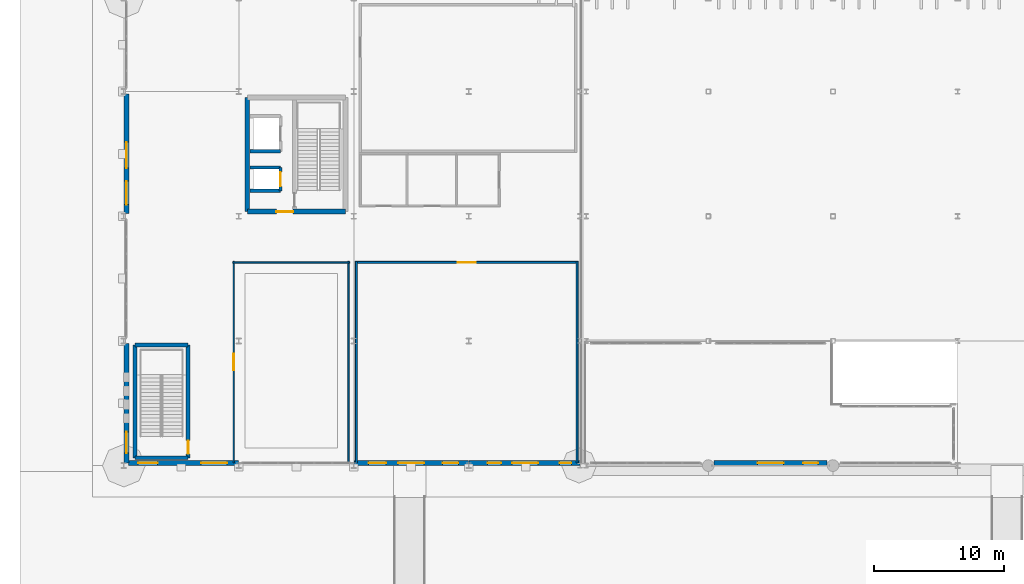
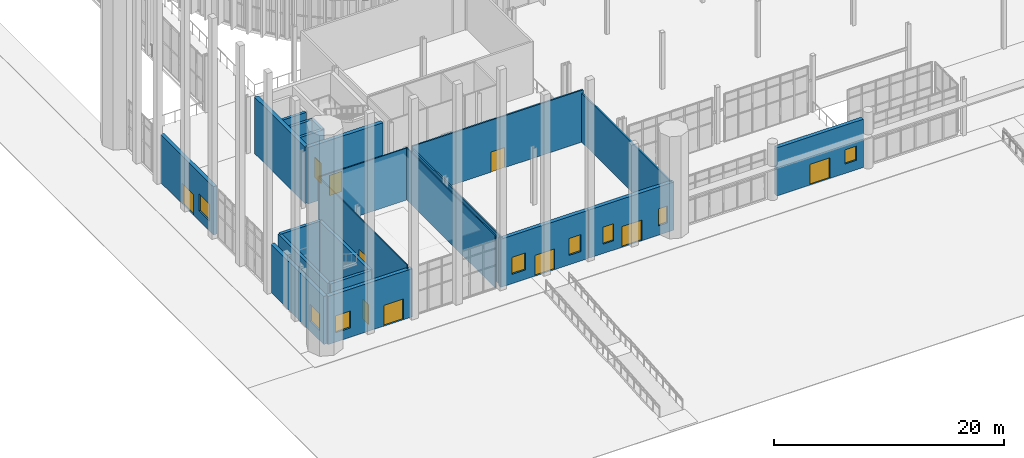
# One storey, part 101 of 139: 22 walls, 10 doors, 8 windows, 18 openings.
"""IFC4 building model written with IfcOpenShell, lengths in metres."""

from ifc_helpers import new_model, si_unit, direction, frame, frame_2d, origin, place, context, subcontext, project, spatial, rectangle, extrude, material, layer, layer_set, type_object, element, fill, save


model = new_model("IFC4")

# Units and contexts
model_context = context("Model", 3, precision=1e-05, world=origin(), true_north=direction((0.0, 1.0)))
body_context = subcontext(model_context, "Body", "Model", "MODEL_VIEW")
ifc_project = project(units=[si_unit("LENGTHUNIT", "METRE"), si_unit("AREAUNIT", "SQUARE_METRE"), si_unit("VOLUMEUNIT", "CUBIC_METRE"), si_unit("PLANEANGLEUNIT", "RADIAN"), si_unit("MASSUNIT", "GRAM", prefix="KILO")], contexts=[model_context])

# Site, building, storey
site_placement = place(None, origin())
site = spatial("IfcSite", under=ifc_project, at=site_placement, CompositionType="ELEMENT")
building_placement = place(site_placement, origin())
building = spatial("IfcBuilding", under=site, at=building_placement, Name="Yeouljin Market Hall", CompositionType="ELEMENT")
storey_placement = place(building_placement, origin())
storey = spatial("IfcBuildingStorey", under=building, at=storey_placement, Name="L00", CompositionType="ELEMENT", Elevation=0.0)

# Wall, opening, door
ifc_material_1 = material(Name="Gypsum Board Acoustic Partition")
ifc_layer_1 = layer(ifc_material_1, 0.14990234375)
ifc_layer_set_1 = layer_set([ifc_layer_1], Name="Gypsum Board Acoustic Partition")
wall_type_1 = type_object("IfcWallType", Name="Part_Classroom_150", PredefinedType="PARTITIONING", material=ifc_layer_set_1)
wall_1_placement = place(storey_placement, frame((34.97998046875, 15.64990234375, 0.0), z_axis=(0.0, 0.0, 1.0), x_axis=(-1.0, 0.0, 0.0)))
wall_1 = element("IfcWall", 1, at=wall_1_placement, inside=storey, type_object=wall_type_1, Name="Interior partition PART-L00-0053", PredefinedType="PARTITIONING", context=body_context, shape_type="SweptSolid", body=[
    extrude(rectangle(XDim=17.159912109375, YDim=0.14990234375, at=frame_2d((8.580078125, 0.0))), origin(), (0.0, 0.0, 1.0), 5.52001953125),
])
opening_1_placement = place(wall_1_placement, frame((7.89990234375, 0.0, 0.0)))
opening_1 = element("IfcOpeningElement", 2, at=opening_1_placement, cuts=wall_1, Name="Opening D-L00-017", PredefinedType="OPENING", context=body_context, shape_type="SweptSolid", body=[
    extrude(rectangle(XDim=1.360107421875, YDim=2.14990234375, at=frame_2d((0.68017578125, 1.074951171875))), frame((0.0, 0.0849609375, 0.0), z_axis=(0.0, -1.0, 0.0), x_axis=(1.0, 0.0, 0.0)), (0.0, 0.0, 1.0), 0.169921875),
])
ifc_material_2 = material(Name="Painted Fire-Rated Steel", Category="steel")
door_type_1 = type_object("IfcDoorType", Name="DT-FD136", OperationType="NOTDEFINED", PredefinedType="DOOR", material=ifc_material_2)
door_1_placement = place(opening_1_placement, origin())
door_1 = element("IfcDoor", 3, at=door_1_placement, inside=storey, type_object=door_type_1, Name="Interior door D-L00-017 (Noodle Craft Workshop)", OperationType="SINGLE_SWING_LEFT", OverallHeight=2.14990234375, OverallWidth=1.360107421875, PredefinedType="DOOR", context=body_context, shape_type="SweptSolid", body=[
    extrude(rectangle(XDim=1.360107421875, YDim=2.14990234375, at=frame_2d((0.68017578125, 1.074951171875))), frame((0.0, 0.02490234375, 0.0), z_axis=(0.0, -1.0, 0.0), x_axis=(1.0, 0.0, 0.0)), (0.0, 0.0, 1.0), 0.050048828125),
])
fill(opening_1, door_1)

# Walls
wall_2_placement = place(storey_placement, frame((34.89990234375, 0.199951171875, 0.0), z_axis=(0.0, 0.0, 1.0), x_axis=(0.0, 1.0, 0.0)))
element("IfcWall", 4, at=wall_2_placement, inside=storey, type_object=wall_type_1, Name="Interior partition PART-L00-0054", PredefinedType="PARTITIONING", context=body_context, shape_type="SweptSolid", body=[
    extrude(rectangle(XDim=15.530029296875, YDim=0.14990234375, at=frame_2d((7.76513671875, 0.0))), origin(), (0.0, 0.0, 1.0), 5.199951171875),
])
wall_3_placement = place(storey_placement, frame((17.89990234375, 15.72998046875, 0.0), z_axis=(0.0, 0.0, 1.0), x_axis=(0.0, -1.0, 0.0)))
element("IfcWall", 5, at=wall_3_placement, inside=storey, type_object=wall_type_1, Name="Interior partition PART-L00-0055", PredefinedType="PARTITIONING", context=body_context, shape_type="SweptSolid", body=[
    extrude(rectangle(XDim=15.530029296875, YDim=0.14990234375, at=frame_2d((7.76513671875, 0.0))), origin(), (0.0, 0.0, 1.0), 5.215087890625),
])

# Wall, opening, door
ifc_material_3 = material(Name="Gypsum Board Partition")
ifc_layer_2 = layer(ifc_material_3, 0.110107421875)
ifc_layer_set_2 = layer_set([ifc_layer_2], Name="Gypsum Board Partition")
wall_type_2 = type_object("IfcWallType", Name="Part_Office_110", PredefinedType="PARTITIONING", material=ifc_layer_set_2)
wall_4_placement = place(storey_placement, frame((8.4599609375, 15.72998046875, 0.0), z_axis=(0.0, 0.0, 1.0), x_axis=(0.0, -1.0, 0.0)))
wall_4 = element("IfcWall", 6, at=wall_4_placement, inside=storey, type_object=wall_type_2, Name="Interior partition PART-L00-0050", PredefinedType="PARTITIONING", context=body_context, shape_type="SweptSolid", body=[
    extrude(rectangle(XDim=15.530029296875, YDim=0.110107421875, at=frame_2d((7.76513671875, 0.0))), origin(), (0.0, 0.0, 1.0), 5.52001953125),
])
opening_2_placement = place(wall_4_placement, frame((7.125, 0.0, 0.0)))
opening_2 = element("IfcOpeningElement", 7, at=opening_2_placement, cuts=wall_4, Name="Opening D-L00-016", PredefinedType="OPENING", context=body_context, shape_type="SweptSolid", body=[
    extrude(rectangle(XDim=1.280029296875, YDim=2.14990234375, at=frame_2d((0.64013671875, 1.074951171875))), frame((0.0, 0.06494140625, 0.0), z_axis=(0.0, -1.0, 0.0), x_axis=(1.0, 0.0, 0.0)), (0.0, 0.0, 1.0), 0.130126953125),
])
ifc_material_4 = material(Name="Painted Fire-Rated Steel", Category="steel")
door_type_2 = type_object("IfcDoorType", Name="DT-FD128", OperationType="NOTDEFINED", PredefinedType="DOOR", material=ifc_material_4)
door_2_placement = place(opening_2_placement, origin())
door_2 = element("IfcDoor", 8, at=door_2_placement, inside=storey, type_object=door_type_2, Name="Interior door D-L00-016 (Artisan Tofu Workshop)", OperationType="SINGLE_SWING_RIGHT", OverallHeight=2.14990234375, OverallWidth=1.280029296875, PredefinedType="DOOR", context=body_context, shape_type="SweptSolid", body=[
    extrude(rectangle(XDim=1.280029296875, YDim=2.14990234375, at=frame_2d((0.64013671875, 1.074951171875))), frame((0.0, 0.02490234375, 0.0), z_axis=(0.0, -1.0, 0.0), x_axis=(1.0, 0.0, 0.0)), (0.0, 0.0, 1.0), 0.050048828125),
])
fill(opening_2, door_2)

# Walls
wall_5_placement = place(storey_placement, frame((17.3798828125, 15.64990234375, 0.0), z_axis=(0.0, 0.0, 1.0), x_axis=(-1.0, 0.0, 0.0)))
element("IfcWall", 9, at=wall_5_placement, inside=storey, type_object=wall_type_2, Name="Interior partition PART-L00-0051", PredefinedType="PARTITIONING", context=body_context, shape_type="SweptSolid", body=[
    extrude(rectangle(XDim=9.0, YDim=0.110107421875, at=frame_2d((4.5, 0.0))), origin(), (0.0, 0.0, 1.0), 5.52001953125),
])
wall_6_placement = place(storey_placement, frame((17.300048828125, 0.199951171875, 0.0), z_axis=(0.0, 0.0, 1.0), x_axis=(0.0, 1.0, 0.0)))
element("IfcWall", 10, at=wall_6_placement, inside=storey, type_object=wall_type_2, Name="Interior partition PART-L00-0052", PredefinedType="PARTITIONING", context=body_context, shape_type="SweptSolid", body=[
    extrude(rectangle(XDim=15.530029296875, YDim=0.110107421875, at=frame_2d((7.76513671875, 0.0))), origin(), (0.0, 0.0, 1.0), 5.52001953125),
])

# Wall, opening, door
ifc_material_5 = material(Name="Concrete C35/45", Category="concrete")
ifc_layer_3 = layer(ifc_material_5, 0.260009765625)
ifc_layer_set_3 = layer_set([ifc_layer_3], Name="Concrete C35/45")
wall_type_3 = type_object("IfcWallType", Name="Wall_Compartment_260", PredefinedType="SHEAR", material=ifc_layer_set_3)
wall_7_placement = place(storey_placement, frame((12.054931640625, 21.14990234375, 0.0), z_axis=(0.0, 0.0, 1.0), x_axis=(0.0, 1.0, 0.0)))
wall_7 = element("IfcWall", 11, at=wall_7_placement, inside=storey, type_object=wall_type_3, Name="Lift LP-01 hoistway front wall (L00)", PredefinedType="SHEAR", context=body_context, shape_type="SweptSolid", body=[
    extrude(rectangle(XDim=1.800048828125, YDim=0.260009765625, at=frame_2d((0.89990234375, 0.0))), origin(), (0.0, 0.0, 1.0), 6.0),
])
opening_3_placement = place(wall_7_placement, frame((0.35009765625, 0.0, 0.0)))
opening_3 = element("IfcOpeningElement", 12, at=opening_3_placement, cuts=wall_7, Name="Opening LD-LP-01-L00", PredefinedType="OPENING", context=body_context, shape_type="SweptSolid", body=[
    extrude(rectangle(XDim=1.10009765625, YDim=2.14990234375, at=frame_2d((0.550048828125, 1.074951171875))), frame((0.0, 0.139892578125, 0.0), z_axis=(0.0, -1.0, 0.0), x_axis=(1.0, 0.0, 0.0)), (0.0, 0.0, 1.0), 0.280029296875),
])
ifc_material_6 = material(Name="Brushed Stainless Steel", Category="steel")
door_type_3 = type_object("IfcDoorType", Name="LD-110", OperationType="SLIDING_TO_LEFT", PredefinedType="DOOR", material=ifc_material_6)
door_3_placement = place(opening_3_placement, origin())
door_3 = element("IfcDoor", 13, at=door_3_placement, inside=storey, type_object=door_type_3, Name="Lift landing sliding door LD-LP-01-L00", OperationType="SLIDING_TO_LEFT", OverallHeight=2.14990234375, OverallWidth=1.10009765625, PredefinedType="DOOR", context=body_context, shape_type="SweptSolid", body=[
    extrude(rectangle(XDim=1.10009765625, YDim=2.14990234375, at=frame_2d((0.550048828125, 1.074951171875))), frame((0.0, 0.02490234375, 0.0), z_axis=(0.0, -1.0, 0.0), x_axis=(1.0, 0.0, 0.0)), (0.0, 0.0, 1.0), 0.050048828125),
])
fill(opening_3, door_3)

# Walls
for number, where, z_axis, x_axis, name in (
    (14, (9.699951171875, 21.14990234375, 0.0), (0.0, 0.0, 1.0), (1.0, 0.0, 0.0), "Lift LP-01 shaft cheek wall S (L00)"),
    (15, (9.699951171875, 22.949951171875, 0.0), (0.0, 0.0, 1.0), (1.0, 0.0, 0.0), "Lift LP-01 shaft cheek wall N (L00)"),
    (16, (9.699951171875, 24.199951171875, 0.0), (0.0, 0.0, 1.0), (1.0, 0.0, 0.0), "Lift LS-01 shaft cheek wall S (L00)"),
):
    element("IfcWall", number, at=place(storey_placement, frame(where, z_axis=z_axis, x_axis=x_axis)), inside=storey, type_object=wall_type_3, Name=name, PredefinedType="SHEAR", context=body_context, shape_type="SweptSolid", body=[
        extrude(rectangle(XDim=2.35498046875, YDim=0.260009765625, at=frame_2d((1.177490234375, 0.0))), origin(), (0.0, 0.0, 1.0), 6.0),
    ])

# Wall, opening, door
ifc_material_7 = material(Name="Concrete C35/45", Category="concrete")
ifc_layer_4 = layer(ifc_material_7, 0.3798828125)
ifc_layer_set_4 = layer_set([ifc_layer_4], Name="Concrete C35/45")
wall_type_4 = type_object("IfcWallType", Name="Wall_CoreShear_380", PredefinedType="SHEAR", material=ifc_layer_set_4)
wall_8_placement = place(storey_placement, frame((9.5, 19.550048828125, 0.0), z_axis=(0.0, 0.0, 1.0), x_axis=(1.0, 0.0, 0.0)))
wall_8 = element("IfcWall", 17, at=wall_8_placement, inside=storey, type_object=wall_type_4, Name="Core C1 south shear wall (L00)", PredefinedType="SHEAR", context=body_context, shape_type="SweptSolid", body=[
    extrude(rectangle(XDim=7.550048828125, YDim=0.3798828125, at=frame_2d((3.77490234375, 0.0))), origin(), (0.0, 0.0, 1.0), 6.0),
])
opening_4_placement = place(wall_8_placement, frame((2.25, 0.0, 0.0)))
opening_4 = element("IfcOpeningElement", 18, at=opening_4_placement, cuts=wall_8, Name="Opening FD-C1-L00-01", PredefinedType="OPENING", context=body_context, shape_type="SweptSolid", body=[
    extrude(rectangle(XDim=1.280029296875, YDim=2.14990234375, at=frame_2d((0.64013671875, 1.074951171875))), frame((0.0, 0.199951171875, 0.0), z_axis=(0.0, -1.0, 0.0), x_axis=(1.0, 0.0, 0.0)), (0.0, 0.0, 1.0), 0.39990234375),
])
door_4_placement = place(opening_4_placement, origin())
door_4 = element("IfcDoor", 19, at=door_4_placement, inside=storey, type_object=door_type_2, Name="Core C1 lobby fire door (L00)", OperationType="SINGLE_SWING_LEFT", OverallHeight=2.14990234375, OverallWidth=1.280029296875, PredefinedType="DOOR", context=body_context, shape_type="SweptSolid", body=[
    extrude(rectangle(XDim=1.280029296875, YDim=2.14990234375, at=frame_2d((0.64013671875, 1.074951171875))), frame((0.0, 0.02490234375, 0.0), z_axis=(0.0, -1.0, 0.0), x_axis=(1.0, 0.0, 0.0)), (0.0, 0.0, 1.0), 0.050048828125),
])
fill(opening_4, door_4)

# Wall
wall_9_placement = place(storey_placement, frame((9.5, 28.35009765625, 0.0), z_axis=(0.0, 0.0, 1.0), x_axis=(0.0, -1.0, 0.0)))
element("IfcWall", 20, at=wall_9_placement, inside=storey, type_object=wall_type_4, Name="Core C1 west shear wall (L00)", PredefinedType="SHEAR", context=body_context, shape_type="SweptSolid", body=[
    extrude(rectangle(XDim=8.800048828125, YDim=0.3798828125, at=frame_2d((4.39990234375, 0.0))), origin(), (0.0, 0.0, 1.0), 6.0),
])

# Wall, opening, window
ifc_material_8 = material(Name="Clinker Brick Masonry F2-S2", Category="masonry")
ifc_layer_5 = layer(ifc_material_8, 0.35009765625)
ifc_layer_set_5 = layer_set([ifc_layer_5], Name="Clinker Brick Masonry F2-S2")
wall_type_5 = type_object("IfcWallType", Name="Wall_Ext_ClinkerCavity_350", PredefinedType="SOLIDWALL", material=ifc_layer_set_5)
wall_10_placement = place(storey_placement, frame((0.199951171875, 0.2080078125, 0.0), z_axis=(0.0, 0.0, 1.0), x_axis=(0.0, 1.0, 0.0)))
wall_10 = element("IfcWall", 21, at=wall_10_placement, inside=storey, type_object=wall_type_5, Name="Exterior wall WE-V2W-L00-1", PredefinedType="SOLIDWALL", context=body_context, shape_type="SweptSolid", body=[
    extrude(rectangle(XDim=9.18603515625, YDim=0.35009765625, at=frame_2d((4.593017578125, 0.0))), origin(), (0.0, 0.0, 1.0), 5.1201171875),
])
opening_5_placement = place(wall_10_placement, frame((0.741943359375, 0.0, 1.050048828125)))
opening_5 = element("IfcOpeningElement", 22, at=opening_5_placement, cuts=wall_10, Name="Opening WN-06", PredefinedType="OPENING", context=body_context, shape_type="SweptSolid", body=[
    extrude(rectangle(XDim=1.64990234375, YDim=1.800048828125, at=frame_2d((0.824951171875, 0.89990234375))), frame((0.0, 0.18505859375, 0.0), z_axis=(0.0, -1.0, 0.0), x_axis=(1.0, 0.0, 0.0)), (0.0, 0.0, 1.0), 0.3701171875),
])
ifc_material_9 = material(Name="Low-E Insulated Glass", Category="glass")
window_type_1 = type_object("IfcWindowType", Name="Win_Ladder_1650x1800", PartitioningType="DOUBLE_PANEL_HORIZONTAL", PredefinedType="WINDOW", material=ifc_material_9)
window_1_placement = place(opening_5_placement, origin())
window_1 = element("IfcWindow", 23, at=window_1_placement, inside=storey, type_object=window_type_1, Name="Exterior window WIN-V2W-L00-1", OverallHeight=1.800048828125, OverallWidth=1.64990234375, PartitioningType="SINGLE_PANEL", PredefinedType="WINDOW", context=body_context, shape_type="SweptSolid", body=[
    extrude(rectangle(XDim=1.64990234375, YDim=1.800048828125, at=frame_2d((0.824951171875, 0.89990234375))), frame((0.0, 0.030029296875, 0.0), z_axis=(0.0, -1.0, 0.0), x_axis=(1.0, 0.0, 0.0)), (0.0, 0.0, 1.0), 0.06005859375),
])
fill(opening_5, window_1)

# Wall, openings, door, window
wall_11_placement = place(storey_placement, frame((0.199951171875, 19.406005859375, 0.0), z_axis=(0.0, 0.0, 1.0), x_axis=(0.0, 1.0, 0.0)))
wall_11 = element("IfcWall", 24, at=wall_11_placement, inside=storey, type_object=wall_type_5, Name="Exterior wall WE-V2W-L00-3", PredefinedType="SOLIDWALL", context=body_context, shape_type="SweptSolid", body=[
    extrude(rectangle(XDim=9.18798828125, YDim=0.35009765625, at=frame_2d((4.593994140625, 0.0))), origin(), (0.0, 0.0, 1.0), 5.1201171875),
])
opening_6_placement = place(wall_11_placement, frame((3.493896484375, 0.0, 0.0)))
opening_6 = element("IfcOpeningElement", 25, at=opening_6_placement, cuts=wall_11, Name="Opening ED-L00-10", PredefinedType="OPENING", context=body_context, shape_type="SweptSolid", body=[
    extrude(rectangle(XDim=2.0, YDim=2.199951171875, at=frame_2d((1.0, 1.10009765625))), frame((0.0, 0.18505859375, 0.0), z_axis=(0.0, -1.0, 0.0), x_axis=(1.0, 0.0, 0.0)), (0.0, 0.0, 1.0), 0.3701171875),
])
opening_7_placement = place(wall_11_placement, frame((0.694091796875, 0.0, 1.050048828125)))
opening_7 = element("IfcOpeningElement", 26, at=opening_7_placement, cuts=wall_11, Name="Opening WN-07", PredefinedType="OPENING", context=body_context, shape_type="SweptSolid", body=[
    extrude(rectangle(XDim=1.800048828125, YDim=1.800048828125, at=frame_2d((0.89990234375, 0.89990234375))), frame((0.0, 0.18505859375, 0.0), z_axis=(0.0, -1.0, 0.0), x_axis=(1.0, 0.0, 0.0)), (0.0, 0.0, 1.0), 0.3701171875),
])
ifc_material_10 = material(Name="Thermally Broken Aluminium", Category="aluminium")
door_type_4 = type_object("IfcDoorType", Name="DT-ED200", OperationType="NOTDEFINED", PredefinedType="DOOR", material=ifc_material_10)
door_5_placement = place(opening_6_placement, origin())
door_5 = element("IfcDoor", 27, at=door_5_placement, inside=storey, type_object=door_type_4, Name="Exterior door ED-L00-10", OperationType="DOUBLE_DOOR_SINGLE_SWING", OverallHeight=2.199951171875, OverallWidth=2.0, PredefinedType="DOOR", context=body_context, shape_type="SweptSolid", body=[
    extrude(rectangle(XDim=2.0, YDim=2.199951171875, at=frame_2d((1.0, 1.10009765625))), frame((0.0, 0.02490234375, 0.0), z_axis=(0.0, -1.0, 0.0), x_axis=(1.0, 0.0, 0.0)), (0.0, 0.0, 1.0), 0.050048828125),
])
fill(opening_6, door_5)
ifc_material_11 = material(Name="Low-E Insulated Glass", Category="glass")
window_type_2 = type_object("IfcWindowType", Name="Win_Ladder_1800x1800", PartitioningType="TRIPLE_PANEL_VERTICAL", PredefinedType="WINDOW", material=ifc_material_11)
window_2_placement = place(opening_7_placement, origin())
window_2 = element("IfcWindow", 28, at=window_2_placement, inside=storey, type_object=window_type_2, Name="Exterior window WIN-V2W-L00-3", OverallHeight=1.800048828125, OverallWidth=1.800048828125, PartitioningType="SINGLE_PANEL", PredefinedType="WINDOW", context=body_context, shape_type="SweptSolid", body=[
    extrude(rectangle(XDim=1.800048828125, YDim=1.800048828125, at=frame_2d((0.89990234375, 0.89990234375))), frame((0.0, 0.030029296875, 0.0), z_axis=(0.0, -1.0, 0.0), x_axis=(1.0, 0.0, 0.0)), (0.0, 0.0, 1.0), 0.06005859375),
])
fill(opening_7, window_2)

# Wall, openings, door, windows
ifc_material_12 = material(Name="Pocheon Granite Stone", Category="masonry")
ifc_layer_6 = layer(ifc_material_12, 0.3798828125)
ifc_layer_set_6 = layer_set([ifc_layer_6], Name="Pocheon Granite Stone")
wall_type_6 = type_object("IfcWallType", Name="Wall_Ext_GranitePlinth_380", PredefinedType="SOLIDWALL", material=ifc_layer_set_6)
wall_12_placement = place(storey_placement, frame((35.117919921875, 0.199951171875, 0.0), z_axis=(0.0, 0.0, 1.0), x_axis=(-1.0, 0.0, 0.0)))
wall_12 = element("IfcWall", 29, at=wall_12_placement, inside=storey, type_object=wall_type_6, Name="Exterior wall WE-V2S-L00-1", PredefinedType="SOLIDWALL", context=body_context, shape_type="SweptSolid", body=[
    extrude(rectangle(XDim=8.553955078125, YDim=0.3798828125, at=frame_2d((4.27685546875, 0.0))), origin(), (0.0, 0.0, 1.0), 5.1201171875),
])
opening_8_placement = place(wall_12_placement, frame((3.218017578125, 0.0, 0.0)))
opening_8 = element("IfcOpeningElement", 30, at=opening_8_placement, cuts=wall_12, Name="Opening ED-L00-07", PredefinedType="OPENING", context=body_context, shape_type="SweptSolid", body=[
    extrude(rectangle(XDim=2.0, YDim=2.199951171875, at=frame_2d((1.0, 1.10009765625))), frame((0.0, 0.199951171875, 0.0), z_axis=(0.0, -1.0, 0.0), x_axis=(1.0, 0.0, 0.0)), (0.0, 0.0, 1.0), 0.39990234375),
])
opening_9_placement = place(wall_12_placement, frame((0.66796875, 0.0, 1.0)))
opening_9 = element("IfcOpeningElement", 31, at=opening_9_placement, cuts=wall_12, Name="Opening WN-01", PredefinedType="OPENING", context=body_context, shape_type="SweptSolid", body=[
    extrude(rectangle(XDim=0.89990234375, YDim=1.800048828125, at=frame_2d((0.449951171875, 0.89990234375))), frame((0.0, 0.199951171875, 0.0), z_axis=(0.0, -1.0, 0.0), x_axis=(1.0, 0.0, 0.0)), (0.0, 0.0, 1.0), 0.39990234375),
])
opening_10_placement = place(wall_12_placement, frame((6.068115234375, 0.0, 1.0)))
opening_10 = element("IfcOpeningElement", 32, at=opening_10_placement, cuts=wall_12, Name="Opening WN-02", PredefinedType="OPENING", context=body_context, shape_type="SweptSolid", body=[
    extrude(rectangle(XDim=1.050048828125, YDim=1.800048828125, at=frame_2d((0.52490234375, 0.89990234375))), frame((0.0, 0.199951171875, 0.0), z_axis=(0.0, -1.0, 0.0), x_axis=(1.0, 0.0, 0.0)), (0.0, 0.0, 1.0), 0.39990234375),
])
door_6_placement = place(opening_8_placement, origin())
door_6 = element("IfcDoor", 33, at=door_6_placement, inside=storey, type_object=door_type_4, Name="Exterior door ED-L00-07", OperationType="DOUBLE_DOOR_SINGLE_SWING", OverallHeight=2.199951171875, OverallWidth=2.0, PredefinedType="DOOR", context=body_context, shape_type="SweptSolid", body=[
    extrude(rectangle(XDim=2.0, YDim=2.199951171875, at=frame_2d((1.0, 1.10009765625))), frame((0.0, 0.02490234375, 0.0), z_axis=(0.0, -1.0, 0.0), x_axis=(1.0, 0.0, 0.0)), (0.0, 0.0, 1.0), 0.050048828125),
])
fill(opening_8, door_6)
ifc_material_13 = material(Name="Low-E Insulated Glass", Category="glass")
window_type_3 = type_object("IfcWindowType", Name="Win_Ladder_1050x1800", PartitioningType="DOUBLE_PANEL_HORIZONTAL", PredefinedType="WINDOW", material=ifc_material_13)
window_3_placement = place(opening_10_placement, origin())
window_3 = element("IfcWindow", 34, at=window_3_placement, inside=storey, type_object=window_type_3, Name="Exterior window WIN-V2S-L00-1B", OverallHeight=1.800048828125, OverallWidth=1.050048828125, PartitioningType="SINGLE_PANEL", PredefinedType="WINDOW", context=body_context, shape_type="SweptSolid", body=[
    extrude(rectangle(XDim=1.050048828125, YDim=1.800048828125, at=frame_2d((0.52490234375, 0.89990234375))), frame((0.0, 0.030029296875, 0.0), z_axis=(0.0, -1.0, 0.0), x_axis=(1.0, 0.0, 0.0)), (0.0, 0.0, 1.0), 0.06005859375),
])
fill(opening_10, window_3)
ifc_material_14 = material(Name="Low-E Insulated Glass", Category="glass")
window_type_4 = type_object("IfcWindowType", Name="Win_Ladder_900x1800", PartitioningType="DOUBLE_PANEL_HORIZONTAL", PredefinedType="WINDOW", material=ifc_material_14)
window_4_placement = place(opening_9_placement, origin())
window_4 = element("IfcWindow", 35, at=window_4_placement, inside=storey, type_object=window_type_4, Name="Exterior window WIN-V2S-L00-1A", OverallHeight=1.800048828125, OverallWidth=0.89990234375, PartitioningType="SINGLE_PANEL", PredefinedType="WINDOW", context=body_context, shape_type="SweptSolid", body=[
    extrude(rectangle(XDim=0.89990234375, YDim=1.800048828125, at=frame_2d((0.449951171875, 0.89990234375))), frame((0.0, 0.030029296875, 0.0), z_axis=(0.0, -1.0, 0.0), x_axis=(1.0, 0.0, 0.0)), (0.0, 0.0, 1.0), 0.06005859375),
])
fill(opening_9, window_4)

wall_13_placement = place(storey_placement, frame((26.535888671875, 0.199951171875, 0.0), z_axis=(0.0, 0.0, 1.0), x_axis=(-1.0, 0.0, 0.0)))
wall_13 = element("IfcWall", 36, at=wall_13_placement, inside=storey, type_object=wall_type_6, Name="Exterior wall WE-V2S-L00-2", PredefinedType="SOLIDWALL", context=body_context, shape_type="SweptSolid", body=[
    extrude(rectangle(XDim=8.82177734375, YDim=0.3798828125, at=frame_2d((4.410888671875, 0.0))), origin(), (0.0, 0.0, 1.0), 5.1201171875),
])
opening_11_placement = place(wall_13_placement, frame((3.410888671875, 0.0, 0.0)))
opening_11 = element("IfcOpeningElement", 37, at=opening_11_placement, cuts=wall_13, Name="Opening ED-L00-08", PredefinedType="OPENING", context=body_context, shape_type="SweptSolid", body=[
    extrude(rectangle(XDim=2.0, YDim=2.199951171875, at=frame_2d((1.0, 1.10009765625))), frame((0.0, 0.199951171875, 0.0), z_axis=(0.0, -1.0, 0.0), x_axis=(1.0, 0.0, 0.0)), (0.0, 0.0, 1.0), 0.39990234375),
])
opening_12_placement = place(wall_13_placement, frame((0.785888671875, 0.0, 1.0)))
opening_12 = element("IfcOpeningElement", 38, at=opening_12_placement, cuts=wall_13, Name="Opening WN-03", PredefinedType="OPENING", context=body_context, shape_type="SweptSolid", body=[
    extrude(rectangle(XDim=1.199951171875, YDim=1.800048828125, at=frame_2d((0.60009765625, 0.89990234375))), frame((0.0, 0.199951171875, 0.0), z_axis=(0.0, -1.0, 0.0), x_axis=(1.0, 0.0, 0.0)), (0.0, 0.0, 1.0), 0.39990234375),
])
opening_13_placement = place(wall_13_placement, frame((6.3359375, 0.0, 1.0)))
opening_13 = element("IfcOpeningElement", 39, at=opening_13_placement, cuts=wall_13, Name="Opening WN-04", PredefinedType="OPENING", context=body_context, shape_type="SweptSolid", body=[
    extrude(rectangle(XDim=1.35009765625, YDim=1.800048828125, at=frame_2d((0.675048828125, 0.89990234375))), frame((0.0, 0.199951171875, 0.0), z_axis=(0.0, -1.0, 0.0), x_axis=(1.0, 0.0, 0.0)), (0.0, 0.0, 1.0), 0.39990234375),
])
door_7_placement = place(opening_11_placement, origin())
door_7 = element("IfcDoor", 40, at=door_7_placement, inside=storey, type_object=door_type_4, Name="Exterior door ED-L00-08", OperationType="DOUBLE_DOOR_SINGLE_SWING", OverallHeight=2.199951171875, OverallWidth=2.0, PredefinedType="DOOR", context=body_context, shape_type="SweptSolid", body=[
    extrude(rectangle(XDim=2.0, YDim=2.199951171875, at=frame_2d((1.0, 1.10009765625))), frame((0.0, 0.02490234375, 0.0), z_axis=(0.0, -1.0, 0.0), x_axis=(1.0, 0.0, 0.0)), (0.0, 0.0, 1.0), 0.050048828125),
])
fill(opening_11, door_7)
ifc_material_15 = material(Name="Low-E Insulated Glass", Category="glass")
window_type_5 = type_object("IfcWindowType", Name="Win_Ladder_1200x1800", PartitioningType="DOUBLE_PANEL_HORIZONTAL", PredefinedType="WINDOW", material=ifc_material_15)
window_5_placement = place(opening_12_placement, origin())
window_5 = element("IfcWindow", 41, at=window_5_placement, inside=storey, type_object=window_type_5, Name="Exterior window WIN-V2S-L00-2A", OverallHeight=1.800048828125, OverallWidth=1.199951171875, PartitioningType="SINGLE_PANEL", PredefinedType="WINDOW", context=body_context, shape_type="SweptSolid", body=[
    extrude(rectangle(XDim=1.199951171875, YDim=1.800048828125, at=frame_2d((0.60009765625, 0.89990234375))), frame((0.0, 0.030029296875, 0.0), z_axis=(0.0, -1.0, 0.0), x_axis=(1.0, 0.0, 0.0)), (0.0, 0.0, 1.0), 0.06005859375),
])
fill(opening_12, window_5)
ifc_material_16 = material(Name="Low-E Insulated Glass", Category="glass")
window_type_6 = type_object("IfcWindowType", Name="Win_Ladder_1350x1800", PartitioningType="DOUBLE_PANEL_HORIZONTAL", PredefinedType="WINDOW", material=ifc_material_16)
window_6_placement = place(opening_13_placement, origin())
window_6 = element("IfcWindow", 42, at=window_6_placement, inside=storey, type_object=window_type_6, Name="Exterior window WIN-V2S-L00-2B", OverallHeight=1.800048828125, OverallWidth=1.35009765625, PartitioningType="SINGLE_PANEL", PredefinedType="WINDOW", context=body_context, shape_type="SweptSolid", body=[
    extrude(rectangle(XDim=1.35009765625, YDim=1.800048828125, at=frame_2d((0.675048828125, 0.89990234375))), frame((0.0, 0.030029296875, 0.0), z_axis=(0.0, -1.0, 0.0), x_axis=(1.0, 0.0, 0.0)), (0.0, 0.0, 1.0), 0.06005859375),
])
fill(opening_13, window_6)

# Wall, openings, door, window
wall_14_placement = place(storey_placement, frame((8.8359375, 0.199951171875, 0.0), z_axis=(0.0, 0.0, 1.0), x_axis=(-1.0, 0.0, 0.0)))
wall_14 = element("IfcWall", 43, at=wall_14_placement, inside=storey, type_object=wall_type_6, Name="Exterior wall WE-V2S-L00-4", PredefinedType="SOLIDWALL", context=body_context, shape_type="SweptSolid", body=[
    extrude(rectangle(XDim=8.48583984375, YDim=0.3798828125, at=frame_2d((4.242919921875, 0.0))), origin(), (0.0, 0.0, 1.0), 5.1201171875),
])
opening_14_placement = place(wall_14_placement, frame((0.885986328125, 0.0, 0.0)))
opening_14 = element("IfcOpeningElement", 44, at=opening_14_placement, cuts=wall_14, Name="Opening ED-L00-09", PredefinedType="OPENING", context=body_context, shape_type="SweptSolid", body=[
    extrude(rectangle(XDim=2.0, YDim=2.199951171875, at=frame_2d((1.0, 1.10009765625))), frame((0.0, 0.199951171875, 0.0), z_axis=(0.0, -1.0, 0.0), x_axis=(1.0, 0.0, 0.0)), (0.0, 0.0, 1.0), 0.39990234375),
])
opening_15_placement = place(wall_14_placement, frame((6.236083984375, 0.0, 1.0)))
opening_15 = element("IfcOpeningElement", 45, at=opening_15_placement, cuts=wall_14, Name="Opening WN-05", PredefinedType="OPENING", context=body_context, shape_type="SweptSolid", body=[
    extrude(rectangle(XDim=1.5, YDim=1.800048828125, at=frame_2d((0.75, 0.89990234375))), frame((0.0, 0.199951171875, 0.0), z_axis=(0.0, -1.0, 0.0), x_axis=(1.0, 0.0, 0.0)), (0.0, 0.0, 1.0), 0.39990234375),
])
door_8_placement = place(opening_14_placement, origin())
door_8 = element("IfcDoor", 46, at=door_8_placement, inside=storey, type_object=door_type_4, Name="Exterior door ED-L00-09", OperationType="DOUBLE_DOOR_SINGLE_SWING", OverallHeight=2.199951171875, OverallWidth=2.0, PredefinedType="DOOR", context=body_context, shape_type="SweptSolid", body=[
    extrude(rectangle(XDim=2.0, YDim=2.199951171875, at=frame_2d((1.0, 1.10009765625))), frame((0.0, 0.02490234375, 0.0), z_axis=(0.0, -1.0, 0.0), x_axis=(1.0, 0.0, 0.0)), (0.0, 0.0, 1.0), 0.050048828125),
])
fill(opening_14, door_8)
ifc_material_17 = material(Name="Low-E Insulated Glass", Category="glass")
window_type_7 = type_object("IfcWindowType", Name="Win_Ladder_1500x1800", PartitioningType="DOUBLE_PANEL_HORIZONTAL", PredefinedType="WINDOW", material=ifc_material_17)
window_7_placement = place(opening_15_placement, origin())
window_7 = element("IfcWindow", 47, at=window_7_placement, inside=storey, type_object=window_type_7, Name="Exterior window WIN-V2S-L00-4B", OverallHeight=1.800048828125, OverallWidth=1.5, PartitioningType="SINGLE_PANEL", PredefinedType="WINDOW", context=body_context, shape_type="SweptSolid", body=[
    extrude(rectangle(XDim=1.5, YDim=1.800048828125, at=frame_2d((0.75, 0.89990234375))), frame((0.0, 0.030029296875, 0.0), z_axis=(0.0, -1.0, 0.0), x_axis=(1.0, 0.0, 0.0)), (0.0, 0.0, 1.0), 0.06005859375),
])
fill(opening_15, window_7)

wall_15_placement = place(storey_placement, frame((54.14599609375, 0.199951171875, 0.0), z_axis=(0.0, 0.0, 1.0), x_axis=(-1.0, 0.0, 0.0)))
wall_15 = element("IfcWall", 48, at=wall_15_placement, inside=storey, type_object=wall_type_6, Name="Exterior wall WE-V5S-L00-2", PredefinedType="SOLIDWALL", context=body_context, shape_type="SweptSolid", body=[
    extrude(rectangle(XDim=8.69189453125, YDim=0.3798828125, at=frame_2d((4.345947265625, 0.0))), origin(), (0.0, 0.0, 1.0), 5.1201171875),
])
opening_16_placement = place(wall_15_placement, frame((3.345947265625, 0.0, 0.0)))
opening_16 = element("IfcOpeningElement", 49, at=opening_16_placement, cuts=wall_15, Name="Opening ED-L00-17", PredefinedType="OPENING", context=body_context, shape_type="SweptSolid", body=[
    extrude(rectangle(XDim=2.0, YDim=2.199951171875, at=frame_2d((1.0, 1.10009765625))), frame((0.0, 0.199951171875, 0.0), z_axis=(0.0, -1.0, 0.0), x_axis=(1.0, 0.0, 0.0)), (0.0, 0.0, 1.0), 0.39990234375),
])
opening_17_placement = place(wall_15_placement, frame((0.696044921875, 0.0, 1.0)))
opening_17 = element("IfcOpeningElement", 50, at=opening_17_placement, cuts=wall_15, Name="Opening WN-32", PredefinedType="OPENING", context=body_context, shape_type="SweptSolid", body=[
    extrude(rectangle(XDim=1.14990234375, YDim=1.5, at=frame_2d((0.574951171875, 0.75))), frame((0.0, 0.199951171875, 0.0), z_axis=(0.0, -1.0, 0.0), x_axis=(1.0, 0.0, 0.0)), (0.0, 0.0, 1.0), 0.39990234375),
])
door_9_placement = place(opening_16_placement, origin())
door_9 = element("IfcDoor", 51, at=door_9_placement, inside=storey, type_object=door_type_4, Name="Exterior door ED-L00-17", OperationType="DOUBLE_DOOR_SINGLE_SWING", OverallHeight=2.199951171875, OverallWidth=2.0, PredefinedType="DOOR", context=body_context, shape_type="SweptSolid", body=[
    extrude(rectangle(XDim=2.0, YDim=2.199951171875, at=frame_2d((1.0, 1.10009765625))), frame((0.0, 0.02490234375, 0.0), z_axis=(0.0, -1.0, 0.0), x_axis=(1.0, 0.0, 0.0)), (0.0, 0.0, 1.0), 0.050048828125),
])
fill(opening_16, door_9)
ifc_material_18 = material(Name="Low-E Insulated Glass", Category="glass")
window_type_8 = type_object("IfcWindowType", Name="Win_Ladder_1150x1500", PartitioningType="DOUBLE_PANEL_HORIZONTAL", PredefinedType="WINDOW", material=ifc_material_18)
window_8_placement = place(opening_17_placement, origin())
window_8 = element("IfcWindow", 52, at=window_8_placement, inside=storey, type_object=window_type_8, Name="Exterior window WIN-V5S-L00-2", OverallHeight=1.5, OverallWidth=1.14990234375, PartitioningType="SINGLE_PANEL", PredefinedType="WINDOW", context=body_context, shape_type="SweptSolid", body=[
    extrude(rectangle(XDim=1.14990234375, YDim=1.5, at=frame_2d((0.574951171875, 0.75))), frame((0.0, 0.030029296875, 0.0), z_axis=(0.0, -1.0, 0.0), x_axis=(1.0, 0.0, 0.0)), (0.0, 0.0, 1.0), 0.06005859375),
])
fill(opening_17, window_8)

# Walls
ifc_material_19 = material(Name="Concrete C35/45", Category="concrete")
ifc_layer_7 = layer(ifc_material_19, 0.300048828125)
ifc_layer_set_7 = layer_set([ifc_layer_7], Name="Concrete C35/45")
wall_type_7 = type_object("IfcWallType", Name="Wall_ShaftShear_300", PredefinedType="SHEAR", material=ifc_layer_set_7)
for number, where, z_axis, x_axis, name in (
    (53, (0.85009765625, 0.60009765625, 0.0), (0.0, 0.0, 1.0), (1.0, 0.0, 0.0), "Core S7 south shear wall (L00)"),
    (54, (4.949951171875, 9.300048828125, 0.0), (0.0, 0.0, 1.0), (-1.0, 0.0, 0.0), "Core S7 north shear wall (L00)"),
):
    element("IfcWall", number, at=place(storey_placement, frame(where, z_axis=z_axis, x_axis=x_axis)), inside=storey, type_object=wall_type_7, Name=name, PredefinedType="SHEAR", context=body_context, shape_type="SweptSolid", body=[
        extrude(rectangle(XDim=4.099853515625, YDim=0.300048828125, at=frame_2d((2.0498046875, 0.0))), origin(), (0.0, 0.0, 1.0), 6.0),
    ])
wall_16_placement = place(storey_placement, frame((0.85009765625, 9.300048828125, 0.0), z_axis=(0.0, 0.0, 1.0), x_axis=(0.0, -1.0, 0.0)))
element("IfcWall", 55, at=wall_16_placement, inside=storey, type_object=wall_type_7, Name="Core S7 west shear wall (L00)", PredefinedType="SHEAR", context=body_context, shape_type="SweptSolid", body=[
    extrude(rectangle(XDim=8.699951171875, YDim=0.300048828125, at=frame_2d((4.35009765625, 0.0))), origin(), (0.0, 0.0, 1.0), 6.0),
])

# Wall, opening, door
wall_17_placement = place(storey_placement, frame((4.949951171875, 0.60009765625, 0.0), z_axis=(0.0, 0.0, 1.0), x_axis=(0.0, 1.0, 0.0)))
wall_17 = element("IfcWall", 56, at=wall_17_placement, inside=storey, type_object=wall_type_7, Name="Core S7 east shear wall (L00)", PredefinedType="SHEAR", context=body_context, shape_type="SweptSolid", body=[
    extrude(rectangle(XDim=8.699951171875, YDim=0.300048828125, at=frame_2d((4.35009765625, 0.0))), origin(), (0.0, 0.0, 1.0), 6.0),
])
opening_18_placement = place(wall_17_placement, frame((0.300048828125, 0.0, 0.0)))
opening_18 = element("IfcOpeningElement", 57, at=opening_18_placement, cuts=wall_17, Name="Opening SD-S7-L00", PredefinedType="OPENING", context=body_context, shape_type="SweptSolid", body=[
    extrude(rectangle(XDim=1.02001953125, YDim=2.10009765625, at=frame_2d((0.510009765625, 1.050048828125))), frame((0.0, 0.159912109375, 0.0), z_axis=(0.0, -1.0, 0.0), x_axis=(1.0, 0.0, 0.0)), (0.0, 0.0, 1.0), 0.320068359375),
])
ifc_material_20 = material(Name="Painted Fire-Rated Steel", Category="steel")
door_type_5 = type_object("IfcDoorType", Name="DT-FD102", OperationType="NOTDEFINED", PredefinedType="DOOR", material=ifc_material_20)
door_10_placement = place(opening_18_placement, origin())
door_10 = element("IfcDoor", 58, at=door_10_placement, inside=storey, type_object=door_type_5, Name="Escape stair S7 fire door (L00)", OperationType="SINGLE_SWING_LEFT", OverallHeight=2.10009765625, OverallWidth=1.02001953125, PredefinedType="DOOR", context=body_context, shape_type="SweptSolid", body=[
    extrude(rectangle(XDim=1.02001953125, YDim=2.10009765625, at=frame_2d((0.510009765625, 1.050048828125))), frame((0.0, 0.02490234375, 0.0), z_axis=(0.0, -1.0, 0.0), x_axis=(1.0, 0.0, 0.0)), (0.0, 0.0, 1.0), 0.050048828125),
])
fill(opening_18, door_10)

save(model, "model.ifc")
